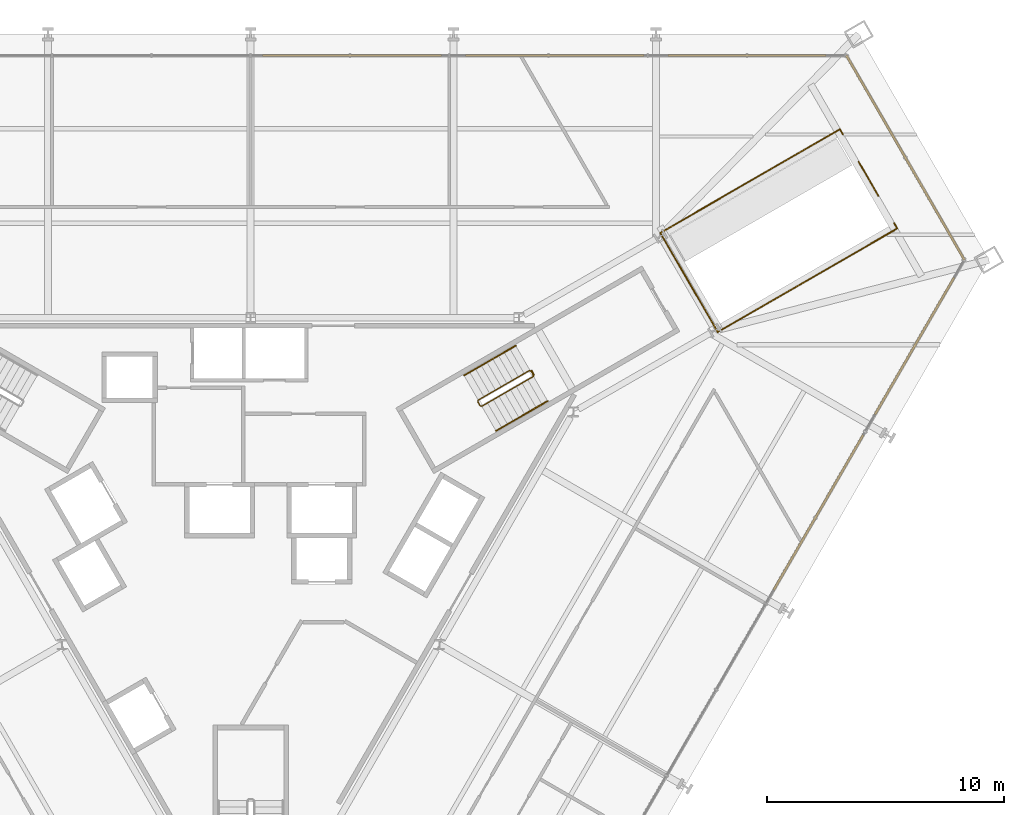
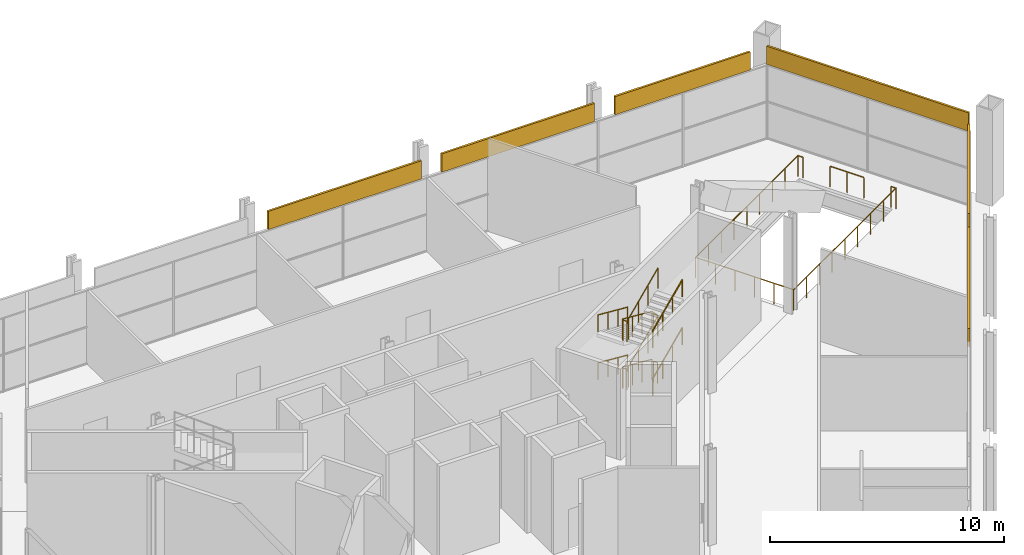
# One storey, part 19 of 20: 9 railings, 6 coverings.
"""IFC4 building model written with IfcOpenShell, lengths in metres."""

from ifc_helpers import new_model, si_unit, direction, frame, origin, origin_2d, place, context, subcontext, project, spatial, rectangle, circle, extrude, material, layer, layer_set, type_object, element, save


model = new_model("IFC4")

# Units and contexts
model_context = context("Model", 3, precision=1e-05, world=origin(), true_north=direction((0.0, 1.0)))
body_context = subcontext(model_context, "Body", "Model", "MODEL_VIEW")
ifc_project = project(units=[si_unit("LENGTHUNIT", "METRE"), si_unit("AREAUNIT", "SQUARE_METRE"), si_unit("VOLUMEUNIT", "CUBIC_METRE"), si_unit("PLANEANGLEUNIT", "RADIAN"), si_unit("MASSUNIT", "GRAM", prefix="KILO")], contexts=[model_context])

# Site, building, storey
site_placement = place(None, origin())
site = spatial("IfcSite", under=ifc_project, at=site_placement, CompositionType="ELEMENT")
building_placement = place(site_placement, origin())
building = spatial("IfcBuilding", under=site, at=building_placement, Name="Verrane Prism Tower", CompositionType="ELEMENT")
storey_placement = place(building_placement, frame((0.0, 0.0, 17.39990234375)))
storey = spatial("IfcBuildingStorey", under=building, at=storey_placement, Name="L02", CompositionType="ELEMENT", Elevation=17.39990234375)

# Coverings
ifc_material_1 = material(Name="Limestone cladding", Category="masonry")
ifc_layer = layer(ifc_material_1, 0.10009765625)
ifc_layer_set = layer_set([ifc_layer], Name="FA-100 stone fascia panel")
covering_type = type_object("IfcCoveringType", Name="FA-100 stone fascia panel", PredefinedType="CLADDING", material=ifc_layer_set)
covering_1_placement = place(storey_placement, frame((27.63818359375, 15.956787109375, 3.89013671875), z_axis=(0.0, 0.0, 1.0), x_axis=(-0.499999190728, 0.866025871017, 0.0)))
element("IfcCovering", 1, at=covering_1_placement, inside=storey, type_object=covering_type, Name="Stone fascia L02 1.1", PredefinedType="CLADDING", context=body_context, shape_type="SweptSolid", body=[
    extrude(rectangle(XDim=9.960693359375, YDim=0.10009765625, at=origin_2d()), origin(), (0.0, 0.0, 1.0), 0.949951171875),
])
covering_2_placement = place(storey_placement, frame((20.948486328125, 20.27001953125, 3.89013671875), z_axis=(0.0, 0.0, 1.0), x_axis=(-1.0, 0.0, 0.0)))
element("IfcCovering", 2, at=covering_2_placement, inside=storey, type_object=covering_type, Name="Stone fascia L02 2.1", PredefinedType="CLADDING", context=body_context, shape_type="SweptSolid", body=[
    extrude(rectangle(XDim=6.6767578125, YDim=0.10009765625, at=origin_2d()), origin(), (0.0, 0.0, 1.0), 0.949951171875),
])
covering_3_placement = place(storey_placement, frame((12.8349609375, 20.27001953125, 3.89013671875), z_axis=(0.0, 0.0, 1.0), x_axis=(-1.0, 0.0, 0.0)))
element("IfcCovering", 3, at=covering_3_placement, inside=storey, type_object=covering_type, Name="Stone fascia L02 2.2", PredefinedType="CLADDING", context=body_context, shape_type="SweptSolid", body=[
    extrude(rectangle(XDim=7.550048828125, YDim=0.10009765625, at=origin_2d()), origin(), (0.0, 0.0, 1.0), 0.949951171875),
])
covering_4_placement = place(storey_placement, frame((4.280029296875, 20.27001953125, 3.89013671875), z_axis=(0.0, 0.0, 1.0), x_axis=(-1.0, 0.0, 0.0)))
element("IfcCovering", 4, at=covering_4_placement, inside=storey, type_object=covering_type, Name="Stone fascia L02 2.3", PredefinedType="CLADDING", context=body_context, shape_type="SweptSolid", body=[
    extrude(rectangle(XDim=7.56005859375, YDim=0.10009765625, at=origin_2d()), origin(), (0.0, 0.0, 1.0), 0.949951171875),
])
covering_5_placement = place(storey_placement, frame((23.96923828125, 0.975830078125, 3.89013671875), z_axis=(0.0, 0.0, 1.0), x_axis=(0.500000118955, 0.866025335106, 0.0)))
element("IfcCovering", 5, at=covering_5_placement, inside=storey, type_object=covering_type, Name="Stone fascia L02 6.5", PredefinedType="CLADDING", context=body_context, shape_type="SweptSolid", body=[
    extrude(rectangle(XDim=7.557373046875, YDim=0.10009765625, at=origin_2d()), origin(), (0.0, 0.0, 1.0), 0.949951171875),
])
covering_6_placement = place(storey_placement, frame((28.026123046875, 8.002685546875, 3.89013671875), z_axis=(0.0, 0.0, 1.0), x_axis=(0.500000118955, 0.866025335106, 0.0)))
element("IfcCovering", 6, at=covering_6_placement, inside=storey, type_object=covering_type, Name="Stone fascia L02 6.6", PredefinedType="CLADDING", context=body_context, shape_type="SweptSolid", body=[
    extrude(rectangle(XDim=6.670654296875, YDim=0.10009765625, at=origin_2d()), origin(), (0.0, 0.0, 1.0), 0.949951171875),
])

# Railings
ifc_material_2 = material(Name="Stainless steel and laminated glass", Category="steel")
railing_type_1 = type_object("IfcRailingType", Name="GR-1100 glass and steel guard", PredefinedType="GUARDRAIL", material=ifc_material_2)
railing_1_placement = place(storey_placement, frame((19.717041015625, 8.589111328125, 0.0)))
element("IfcRailing", 7, at=railing_1_placement, inside=storey, type_object=railing_type_1, Name="Guard EW1 L02 1", PredefinedType="GUARDRAIL", context=body_context, shape_type="SweptSolid", body=[
    extrude(circle(Radius=0.02392578125, at=origin_2d()), frame((0.0, 0.0, 1.076171875), z_axis=(0.866022959057, 0.500004234368, 0.0), x_axis=(-0.500004234368, 0.866022959057, 0.0)), (0.0, 0.0, 1.0), 8.75),
    extrude(circle(Radius=0.02392578125, at=origin_2d()), frame((7.57763671875, 4.375, 1.076171875), z_axis=(-0.499919672301, 0.866071776036, 0.0), x_axis=(-0.866071776036, -0.499919672301, 0.0)), (0.0, 0.0, 1.0), 0.25),
    extrude(circle(Radius=0.02099609375, at=origin_2d()), origin(), (0.0, 0.0, 1.0), 1.052001953125),
    extrude(circle(Radius=0.02099609375, at=origin_2d()), frame((0.947265625, 0.546875, 0.0)), (0.0, 0.0, 1.0), 1.052001953125),
    extrude(circle(Radius=0.02099609375, at=origin_2d()), frame((1.89453125, 1.09375, 0.0)), (0.0, 0.0, 1.0), 1.052001953125),
    extrude(circle(Radius=0.02099609375, at=origin_2d()), frame((2.841552734375, 1.640625, 0.0)), (0.0, 0.0, 1.0), 1.052001953125),
    extrude(circle(Radius=0.02099609375, at=origin_2d()), frame((3.788818359375, 2.1875, 0.0)), (0.0, 0.0, 1.0), 1.052001953125),
    extrude(circle(Radius=0.02099609375, at=origin_2d()), frame((4.736083984375, 2.734375, 0.0)), (0.0, 0.0, 1.0), 1.052001953125),
    extrude(circle(Radius=0.02099609375, at=origin_2d()), frame((5.68310546875, 3.28125, 0.0)), (0.0, 0.0, 1.0), 1.052001953125),
    extrude(circle(Radius=0.02099609375, at=origin_2d()), frame((6.63037109375, 3.828125, 0.0)), (0.0, 0.0, 1.0), 1.052001953125),
    extrude(circle(Radius=0.02099609375, at=origin_2d()), frame((7.57763671875, 4.375, 0.0)), (0.0, 0.0, 1.0), 1.052001953125),
    extrude(circle(Radius=0.02099609375, at=origin_2d()), frame((7.45263671875, 4.591552734375, 0.0)), (0.0, 0.0, 1.0), 1.052001953125),
])
railing_2_placement = place(storey_placement, frame((26.499755859375, 14.34130859375, 0.0)))
element("IfcRailing", 8, at=railing_2_placement, inside=storey, type_object=railing_type_1, Name="Guard EW1 L02 2", PredefinedType="GUARDRAIL", context=body_context, shape_type="SweptSolid", body=[
    extrude(circle(Radius=0.02392578125, at=origin_2d()), frame((0.0, 0.0, 1.076171875), z_axis=(-0.500061949227, 0.865989634427, 0.0), x_axis=(-0.865989634427, -0.500061949227, 0.0)), (0.0, 0.0, 1.0), 1.659912109375),
    extrude(circle(Radius=0.02099609375, at=origin_2d()), origin(), (0.0, 0.0, 1.0), 1.052001953125),
    extrude(circle(Radius=0.02099609375, at=origin_2d()), frame((-0.4150390625, 0.71875, 0.0)), (0.0, 0.0, 1.0), 1.052001953125),
    extrude(circle(Radius=0.02099609375, at=origin_2d()), frame((-0.830078125, 1.4375, 0.0)), (0.0, 0.0, 1.0), 1.052001953125),
])
railing_3_placement = place(storey_placement, frame((24.999755859375, 16.939208984375, 0.0)))
element("IfcRailing", 9, at=railing_3_placement, inside=storey, type_object=railing_type_1, Name="Guard EW1 L02 3", PredefinedType="GUARDRAIL", context=body_context, shape_type="SweptSolid", body=[
    extrude(circle(Radius=0.02392578125, at=origin_2d()), frame((0.0, 0.0, 1.076171875), z_axis=(-0.499919672301, 0.866071776036, 0.0), x_axis=(-0.866071776036, -0.499919672301, 0.0)), (0.0, 0.0, 1.0), 0.25),
    extrude(circle(Radius=0.02392578125, at=origin_2d()), frame((-0.125, 0.216552734375, 1.076171875), z_axis=(-0.866029934428, -0.499992152613, 0.0), x_axis=(0.499992152613, -0.866029934428, 0.0)), (0.0, 0.0, 1.0), 8.750244140625),
    extrude(circle(Radius=0.02392578125, at=origin_2d()), frame((-7.702880859375, -4.158447265625, 1.076171875), z_axis=(0.50001790234, -0.866015067617, 0.0), x_axis=(0.866015067617, 0.50001790234, 0.0)), (0.0, 0.0, 1.0), 4.840087890625),
    extrude(circle(Radius=0.02099609375, at=origin_2d()), origin(), (0.0, 0.0, 1.0), 1.052001953125),
    extrude(circle(Radius=0.02099609375, at=origin_2d()), frame((-0.125, 0.216552734375, 0.0)), (0.0, 0.0, 1.0), 1.052001953125),
    extrude(circle(Radius=0.02099609375, at=origin_2d()), frame((-1.072265625, -0.330322265625, 0.0)), (0.0, 0.0, 1.0), 1.052001953125),
    extrude(circle(Radius=0.02099609375, at=origin_2d()), frame((-2.01953125, -0.877197265625, 0.0)), (0.0, 0.0, 1.0), 1.052001953125),
    extrude(circle(Radius=0.02099609375, at=origin_2d()), frame((-2.966796875, -1.424072265625, 0.0)), (0.0, 0.0, 1.0), 1.052001953125),
    extrude(circle(Radius=0.02099609375, at=origin_2d()), frame((-3.9140625, -1.970947265625, 0.0)), (0.0, 0.0, 1.0), 1.052001953125),
    extrude(circle(Radius=0.02099609375, at=origin_2d()), frame((-4.861083984375, -2.517822265625, 0.0)), (0.0, 0.0, 1.0), 1.052001953125),
    extrude(circle(Radius=0.02099609375, at=origin_2d()), frame((-5.808349609375, -3.064697265625, 0.0)), (0.0, 0.0, 1.0), 1.052001953125),
    extrude(circle(Radius=0.02099609375, at=origin_2d()), frame((-6.755615234375, -3.611572265625, 0.0)), (0.0, 0.0, 1.0), 1.052001953125),
    extrude(circle(Radius=0.02099609375, at=origin_2d()), frame((-7.702880859375, -4.158447265625, 0.0)), (0.0, 0.0, 1.0), 1.052001953125),
    extrude(circle(Radius=0.02099609375, at=origin_2d()), frame((-7.21875, -4.996826171875, 0.0)), (0.0, 0.0, 1.0), 1.052001953125),
    extrude(circle(Radius=0.02099609375, at=origin_2d()), frame((-6.73486328125, -5.835205078125, 0.0)), (0.0, 0.0, 1.0), 1.052001953125),
    extrude(circle(Radius=0.02099609375, at=origin_2d()), frame((-6.250732421875, -6.67333984375, 0.0)), (0.0, 0.0, 1.0), 1.052001953125),
    extrude(circle(Radius=0.02099609375, at=origin_2d()), frame((-5.766845703125, -7.51171875, 0.0)), (0.0, 0.0, 1.0), 1.052001953125),
    extrude(circle(Radius=0.02099609375, at=origin_2d()), frame((-5.28271484375, -8.35009765625, 0.0)), (0.0, 0.0, 1.0), 1.052001953125),
])
ifc_material_3 = material(Name="Steel A36 rail and posts, no infill", Category="steel")
railing_type_2 = type_object("IfcRailingType", Name="Stair guard 1100 steel rail and posts", PredefinedType="GUARDRAIL", material=ifc_material_3)
railing_4_placement = place(storey_placement, frame((11.78955078125, 6.97998046875, 0.125)))
element("IfcRailing", 10, at=railing_4_placement, inside=storey, type_object=railing_type_2, Name="Stair 1 guard", PredefinedType="GUARDRAIL", context=body_context, shape_type="SweptSolid", body=[
    extrude(circle(Radius=0.02392578125, at=origin_2d()), frame((0.0, 0.0, 1.076171875), z_axis=(-0.790797836412, -0.456573177506, 0.407651463272), x_axis=(0.500004791531, -0.866022637375, 0.0)), (0.0, 0.0, 1.0), 2.759765625),
    extrude(circle(Radius=0.02392578125, at=origin_2d()), frame((-2.182373046875, -1.260009765625, 2.201171875), z_axis=(-0.258736085224, -0.965948051503, 0.0), x_axis=(0.965948051503, -0.258736085224, 0.0)), (0.0, 0.0, 1.0), 0.07080078125),
    extrude(circle(Radius=0.02392578125, at=origin_2d()), frame((-2.20068359375, -1.328369140625, 2.201171875), z_axis=(0.500603037456, -0.865676959893, 0.0), x_axis=(0.865676959893, 0.500603037456, 0.0)), (0.0, 0.0, 1.0), 0.199951171875),
    extrude(circle(Radius=0.02392578125, at=origin_2d()), frame((-2.1005859375, -1.50146484375, 2.201171875), z_axis=(0.474581771658, -0.127575745069, 0.87091708634), x_axis=(0.259601060869, 0.965715946433, 0.0)), (0.0, 0.0, 1.0), 0.1435546875),
    extrude(circle(Radius=0.02392578125, at=origin_2d()), frame((-2.032470703125, -1.519775390625, 2.326171875), z_axis=(0.790797836412, 0.456573177506, 0.407651463272), x_axis=(-0.500004791531, 0.866022637375, 0.0)), (0.0, 0.0, 1.0), 2.759765625),
    extrude(circle(Radius=0.02392578125, at=origin_2d()), frame((0.14990234375, -0.259765625, 3.451171875), z_axis=(-0.3199613899, 0.947430582667, 0.0), x_axis=(-0.947430582667, -0.3199613899, 0.0)), (0.0, 0.0, 1.0), 0.2548828125),
    extrude(circle(Radius=0.02392578125, at=origin_2d()), frame((0.068359375, -0.018310546875, 3.451171875), z_axis=(0.499158860599, -0.866510491504, 0.0), x_axis=(0.866510491504, 0.499158860599, 0.0)), (0.0, 0.0, 1.0), 0.199951171875),
    extrude(circle(Radius=0.02392578125, at=origin_2d()), frame((0.168212890625, -0.191650390625, 3.451171875), z_axis=(-0.59231929438, 0.674848542943, 0.44015599234), x_axis=(-0.751567565678, -0.659656118156, 0.0)), (0.0, 0.0, 1.0), 0.283935546875),
    extrude(circle(Radius=0.02392578125, at=origin_2d()), frame((0.0, 0.0, 3.576171875), z_axis=(-0.790797836412, -0.456573177506, 0.407651463272), x_axis=(0.500004791531, -0.866022637375, 0.0)), (0.0, 0.0, 1.0), 2.759765625),
    extrude(circle(Radius=0.02392578125, at=origin_2d()), frame((-2.182373046875, -1.260009765625, 4.701171875), z_axis=(-0.258736085224, -0.965948051503, 0.0), x_axis=(0.965948051503, -0.258736085224, 0.0)), (0.0, 0.0, 1.0), 0.07080078125),
    extrude(circle(Radius=0.02392578125, at=origin_2d()), frame((-2.20068359375, -1.328369140625, 4.701171875), z_axis=(0.500603037456, -0.865676959893, 0.0), x_axis=(0.865676959893, 0.500603037456, 0.0)), (0.0, 0.0, 1.0), 0.199951171875),
    extrude(circle(Radius=0.02392578125, at=origin_2d()), frame((-2.1005859375, -1.50146484375, 4.701171875), z_axis=(0.474581771658, -0.127575745069, 0.87091708634), x_axis=(0.259601060869, 0.965715946433, 0.0)), (0.0, 0.0, 1.0), 0.1435546875),
    extrude(circle(Radius=0.02392578125, at=origin_2d()), frame((-2.032470703125, -1.519775390625, 4.826171875), z_axis=(0.790797836412, 0.456573177506, 0.407651463272), x_axis=(-0.500004791531, 0.866022637375, 0.0)), (0.0, 0.0, 1.0), 2.759765625),
    extrude(circle(Radius=0.02099609375, at=origin_2d()), origin(), (0.0, 0.0, 1.0), 1.052001953125),
    extrude(circle(Radius=0.02099609375, at=origin_2d()), frame((-0.7275390625, -0.419921875, 0.375)), (0.0, 0.0, 1.0), 1.052001953125),
    extrude(circle(Radius=0.02099609375, at=origin_2d()), frame((-1.454833984375, -0.840087890625, 0.75)), (0.0, 0.0, 1.0), 1.052001953125),
    extrude(circle(Radius=0.02099609375, at=origin_2d()), frame((-2.182373046875, -1.260009765625, 1.125)), (0.0, 0.0, 1.0), 1.052001953125),
    extrude(circle(Radius=0.02099609375, at=origin_2d()), frame((-2.20068359375, -1.328369140625, 1.125)), (0.0, 0.0, 1.0), 1.052001953125),
    extrude(circle(Radius=0.02099609375, at=origin_2d()), frame((-2.1005859375, -1.50146484375, 1.125)), (0.0, 0.0, 1.0), 1.052001953125),
    extrude(circle(Radius=0.02099609375, at=origin_2d()), frame((-2.032470703125, -1.519775390625, 1.25)), (0.0, 0.0, 1.0), 1.052001953125),
    extrude(circle(Radius=0.02099609375, at=origin_2d()), frame((-1.304931640625, -1.099853515625, 1.625)), (0.0, 0.0, 1.0), 1.052001953125),
    extrude(circle(Radius=0.02099609375, at=origin_2d()), frame((-0.57763671875, -0.6796875, 2.0)), (0.0, 0.0, 1.0), 1.052001953125),
    extrude(circle(Radius=0.02099609375, at=origin_2d()), frame((0.14990234375, -0.259765625, 2.375)), (0.0, 0.0, 1.0), 1.052001953125),
    extrude(circle(Radius=0.02099609375, at=origin_2d()), frame((0.068359375, -0.018310546875, 2.375)), (0.0, 0.0, 1.0), 1.052001953125),
    extrude(circle(Radius=0.02099609375, at=origin_2d()), frame((0.168212890625, -0.191650390625, 2.375)), (0.0, 0.0, 1.0), 1.052001953125),
    extrude(circle(Radius=0.02099609375, at=origin_2d()), frame((0.0, 0.0, 2.5)), (0.0, 0.0, 1.0), 1.052001953125),
    extrude(circle(Radius=0.02099609375, at=origin_2d()), frame((-0.7275390625, -0.419921875, 2.875)), (0.0, 0.0, 1.0), 1.052001953125),
    extrude(circle(Radius=0.02099609375, at=origin_2d()), frame((-1.454833984375, -0.840087890625, 3.25)), (0.0, 0.0, 1.0), 1.052001953125),
    extrude(circle(Radius=0.02099609375, at=origin_2d()), frame((-2.182373046875, -1.260009765625, 3.625)), (0.0, 0.0, 1.0), 1.052001953125),
    extrude(circle(Radius=0.02099609375, at=origin_2d()), frame((-2.20068359375, -1.328369140625, 3.625)), (0.0, 0.0, 1.0), 1.052001953125),
    extrude(circle(Radius=0.02099609375, at=origin_2d()), frame((-2.1005859375, -1.50146484375, 3.625)), (0.0, 0.0, 1.0), 1.052001953125),
    extrude(circle(Radius=0.02099609375, at=origin_2d()), frame((-2.032470703125, -1.519775390625, 3.75)), (0.0, 0.0, 1.0), 1.052001953125),
    extrude(circle(Radius=0.02099609375, at=origin_2d()), frame((-1.304931640625, -1.099853515625, 4.125)), (0.0, 0.0, 1.0), 1.052001953125),
    extrude(circle(Radius=0.02099609375, at=origin_2d()), frame((-0.57763671875, -0.6796875, 4.5)), (0.0, 0.0, 1.0), 1.052001953125),
    extrude(circle(Radius=0.02099609375, at=origin_2d()), frame((0.14990234375, -0.259765625, 4.875)), (0.0, 0.0, 1.0), 1.052001953125),
])
railing_5_placement = place(storey_placement, frame((11.85791015625, 6.961669921875, 0.0)))
element("IfcRailing", 11, at=railing_5_placement, inside=storey, type_object=railing_type_2, Name="Stair 1 guard", PredefinedType="GUARDRAIL", context=body_context, shape_type="SweptSolid", body=[
    extrude(circle(Radius=0.02392578125, at=origin_2d()), frame((0.0, 0.0, 1.076171875), z_axis=(0.499158860599, -0.866510491504, 0.0), x_axis=(0.866510491504, 0.499158860599, 0.0)), (0.0, 0.0, 1.0), 0.199951171875),
    extrude(circle(Radius=0.02099609375, at=origin_2d()), origin(), (0.0, 0.0, 1.0), 1.052001953125),
    extrude(circle(Radius=0.02099609375, at=origin_2d()), frame((0.099853515625, -0.17333984375, 0.0)), (0.0, 0.0, 1.0), 1.052001953125),
])
ifc_material_4 = material(Name="Steel A36 tube", Category="steel")
railing_type_3 = type_object("IfcRailingType", Name="Stair handrail 900 steel tube", PredefinedType="HANDRAIL", material=ifc_material_4)
railing_6_placement = place(storey_placement, frame((11.189453125, 8.01904296875, 0.125)))
element("IfcRailing", 12, at=railing_6_placement, inside=storey, type_object=railing_type_3, Name="Stair 1 handrail", PredefinedType="HANDRAIL", context=body_context, shape_type="SweptSolid", body=[
    extrude(circle(Radius=0.02392578125, at=origin_2d()), frame((0.0, 0.0, 0.8759765625), z_axis=(-0.790797836412, -0.456573177506, 0.407651463272), x_axis=(0.500004791531, -0.866022637375, 0.0)), (0.0, 0.0, 1.0), 2.759765625),
    extrude(circle(Radius=0.02099609375, at=origin_2d()), origin(), (0.0, 0.0, 1.0), 0.851806640625),
    extrude(circle(Radius=0.02099609375, at=origin_2d()), frame((-0.7275390625, -0.419921875, 0.375)), (0.0, 0.0, 1.0), 0.851806640625),
    extrude(circle(Radius=0.02099609375, at=origin_2d()), frame((-1.454833984375, -0.840087890625, 0.75)), (0.0, 0.0, 1.0), 0.851806640625),
    extrude(circle(Radius=0.02099609375, at=origin_2d()), frame((-2.182373046875, -1.260009765625, 1.125)), (0.0, 0.0, 1.0), 0.851806640625),
])
railing_7_placement = place(storey_placement, frame((10.357177734375, 4.4208984375, 1.375)))
element("IfcRailing", 13, at=railing_7_placement, inside=storey, type_object=railing_type_3, Name="Stair 1 handrail", PredefinedType="HANDRAIL", context=body_context, shape_type="SweptSolid", body=[
    extrude(circle(Radius=0.02392578125, at=origin_2d()), frame((0.0, 0.0, 0.8759765625), z_axis=(0.790797836412, 0.456573177506, 0.407651463272), x_axis=(-0.500004791531, 0.866022637375, 0.0)), (0.0, 0.0, 1.0), 2.759765625),
    extrude(circle(Radius=0.02099609375, at=origin_2d()), origin(), (0.0, 0.0, 1.0), 0.851806640625),
    extrude(circle(Radius=0.02099609375, at=origin_2d()), frame((0.7275390625, 0.419921875, 0.375)), (0.0, 0.0, 1.0), 0.851806640625),
    extrude(circle(Radius=0.02099609375, at=origin_2d()), frame((1.454833984375, 0.840087890625, 0.75)), (0.0, 0.0, 1.0), 0.851806640625),
    extrude(circle(Radius=0.02099609375, at=origin_2d()), frame((2.182373046875, 1.260009765625, 1.125)), (0.0, 0.0, 1.0), 0.851806640625),
])
railing_8_placement = place(storey_placement, frame((11.189453125, 8.01904296875, 2.625)))
element("IfcRailing", 14, at=railing_8_placement, inside=storey, type_object=railing_type_3, Name="Stair 1 handrail", PredefinedType="HANDRAIL", context=body_context, shape_type="SweptSolid", body=[
    extrude(circle(Radius=0.02392578125, at=origin_2d()), frame((0.0, 0.0, 0.8759765625), z_axis=(-0.790797836412, -0.456573177506, 0.407651463272), x_axis=(0.500004791531, -0.866022637375, 0.0)), (0.0, 0.0, 1.0), 2.759765625),
    extrude(circle(Radius=0.02099609375, at=origin_2d()), origin(), (0.0, 0.0, 1.0), 0.851806640625),
    extrude(circle(Radius=0.02099609375, at=origin_2d()), frame((-0.7275390625, -0.419921875, 0.375)), (0.0, 0.0, 1.0), 0.851806640625),
    extrude(circle(Radius=0.02099609375, at=origin_2d()), frame((-1.454833984375, -0.840087890625, 0.75)), (0.0, 0.0, 1.0), 0.851806640625),
    extrude(circle(Radius=0.02099609375, at=origin_2d()), frame((-2.182373046875, -1.260009765625, 1.125)), (0.0, 0.0, 1.0), 0.851806640625),
])
railing_9_placement = place(storey_placement, frame((10.357177734375, 4.4208984375, 3.875)))
element("IfcRailing", 15, at=railing_9_placement, inside=storey, type_object=railing_type_3, Name="Stair 1 handrail", PredefinedType="HANDRAIL", context=body_context, shape_type="SweptSolid", body=[
    extrude(circle(Radius=0.02392578125, at=origin_2d()), frame((0.0, 0.0, 0.8759765625), z_axis=(0.790797836412, 0.456573177506, 0.407651463272), x_axis=(-0.500004791531, 0.866022637375, 0.0)), (0.0, 0.0, 1.0), 2.759765625),
    extrude(circle(Radius=0.02099609375, at=origin_2d()), origin(), (0.0, 0.0, 1.0), 0.851806640625),
    extrude(circle(Radius=0.02099609375, at=origin_2d()), frame((0.7275390625, 0.419921875, 0.375)), (0.0, 0.0, 1.0), 0.851806640625),
    extrude(circle(Radius=0.02099609375, at=origin_2d()), frame((1.454833984375, 0.840087890625, 0.75)), (0.0, 0.0, 1.0), 0.851806640625),
    extrude(circle(Radius=0.02099609375, at=origin_2d()), frame((2.182373046875, 1.260009765625, 1.125)), (0.0, 0.0, 1.0), 0.851806640625),
])

save(model, "model.ifc")
